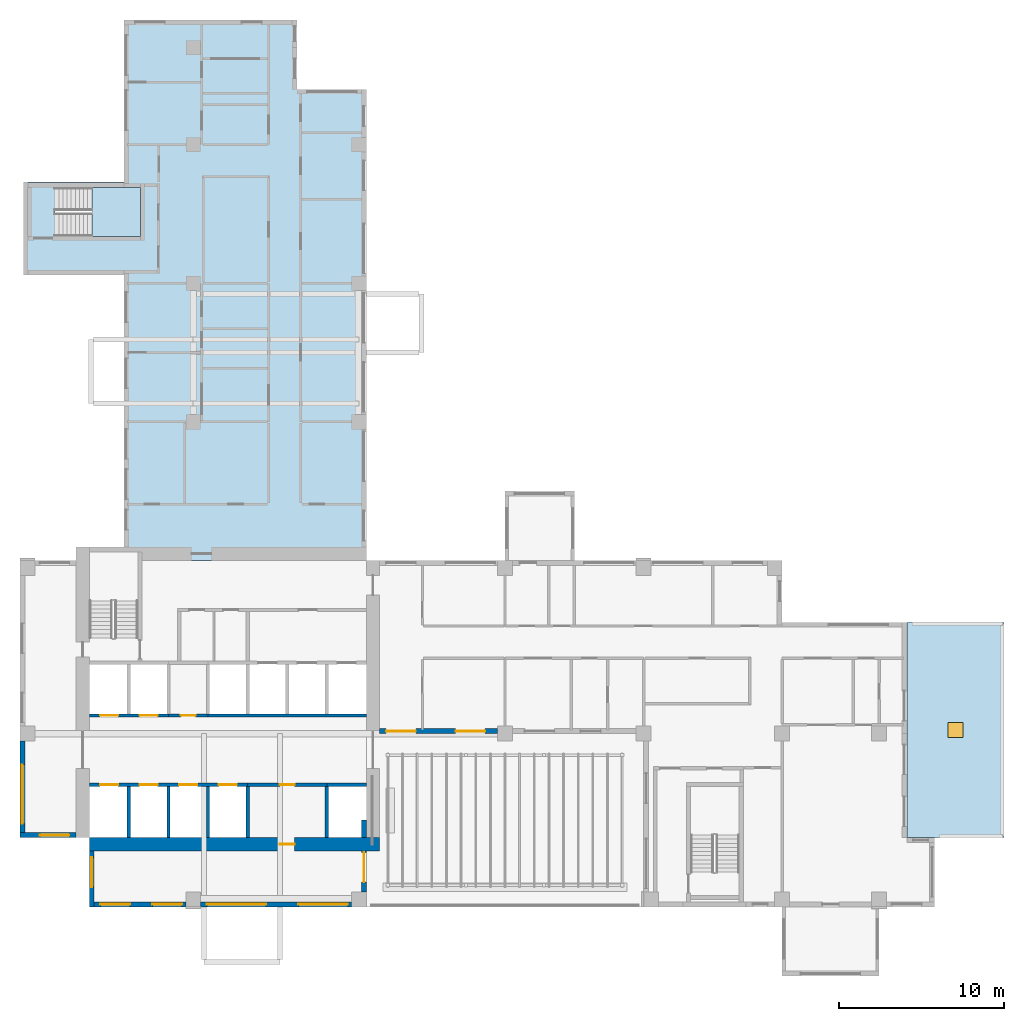
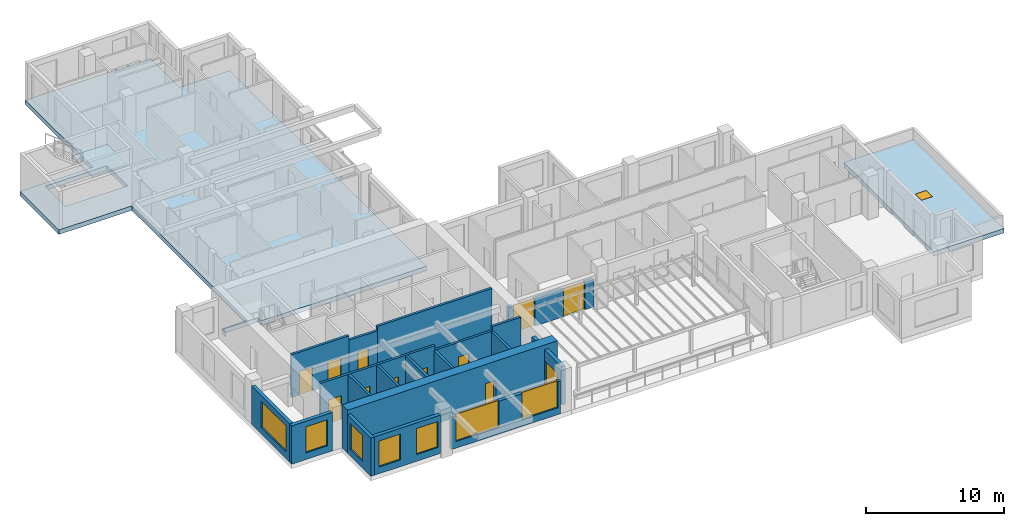
# One storey, part 3 of 13: 20 walls, 12 doors, 8 windows, 3 slabs, 20 openings, 1 element without a shape of its own.
"""IFC4 building model written with IfcOpenShell, lengths in metres."""

from ifc_helpers import new_model, si_unit, direction, frame, frame_2d, origin, origin_2d, place, context, subcontext, project, spatial, polyline, rectangle, outline, extrude, source, transform, mapped, material, layer, layer_set, type_object, element, fill, aggregate, save


model = new_model("IFC4")

# Units and contexts
model_context = context("Model", 3, precision=1e-05, world=origin(), true_north=direction((0.0, 1.0)))
body_context = subcontext(model_context, "Body", "Model", "MODEL_VIEW")
ifc_project = project(units=[si_unit("LENGTHUNIT", "METRE"), si_unit("AREAUNIT", "SQUARE_METRE"), si_unit("VOLUMEUNIT", "CUBIC_METRE"), si_unit("PLANEANGLEUNIT", "RADIAN"), si_unit("MASSUNIT", "GRAM", prefix="KILO")], contexts=[model_context])

# Site, building, storey
site_placement = place(None, origin())
site = spatial("IfcSite", under=ifc_project, at=site_placement, CompositionType="ELEMENT")
building_placement = place(site_placement, origin())
building = spatial("IfcBuilding", under=site, at=building_placement, Name="Aurelian Terraces", CompositionType="ELEMENT")
storey_placement = place(building_placement, frame((0.0, 0.0, 204.4)))
storey = spatial("IfcBuildingStorey", under=building, at=storey_placement, Name="L45", CompositionType="ELEMENT", Elevation=204.4)

# Slab, opening, window
ifc_material_1 = material(Name="Concrete fc' 40 MPa", Category="concrete")
ifc_layer_1 = layer(ifc_material_1, 0.4)
ifc_layer_set_1 = layer_set([ifc_layer_1], Name="Roof slab 400")
slab_type_1 = type_object("IfcSlabType", Name="Roof slab 400", PredefinedType="ROOF", material=ifc_layer_set_1)
slab_1_placement = place(storey_placement, frame((0.0, 0.0, -0.4)))
slab_1 = element("IfcSlab", 1, at=slab_1_placement, inside=storey, type_object=slab_type_1, Name="Roof slab L45 L45-X1", PredefinedType="ROOF", context=body_context, shape_type="SweptSolid", body=[
    extrude(outline(polyline([(53.76, 4.2), (53.76, 17.25), (55.44, 17.25), (59.64, 17.25), (59.64, 16.8), (59.64, 16.65), (59.64, 4.2), (55.44, 4.2), (53.76, 4.2)])), origin(), (0.0, 0.0, 1.0), 0.4),
])
shared_shape_1 = source(origin(), body_context, "Body", "SweptSolid", [
    extrude(rectangle(XDim=0.9, YDim=0.9, at=origin_2d()), frame((0.0, 0.0, -0.01)), (0.0, 0.0, 1.0), 0.42),
])
opening_1_placement = place(slab_1_placement, frame((56.7, 10.725, 0.0)))
opening_1 = element("IfcOpeningElement", 2, at=opening_1_placement, cuts=slab_1, Name="Opening RH1", PredefinedType="OPENING", context=body_context, shape_type="MappedRepresentation", body=[
    mapped(shared_shape_1, transform((0.0, 0.0, 0.0), scale=1.0)),
])
ifc_material_2 = material(Name="Clear glazing", Category="glass")
window_type_1 = type_object("IfcWindowType", Name="ROOF HATCH", PartitioningType="SINGLE_PANEL", PredefinedType="SKYLIGHT", material=ifc_material_2)
shared_shape_2 = source(origin(), body_context, "Body", "SweptSolid", [
    extrude(rectangle(XDim=0.9, YDim=0.9, at=origin_2d()), origin(), (0.0, 0.0, 1.0), 0.05),
])
window_1_placement = place(opening_1_placement, frame((0.0, 0.0, 0.35)))
window_1 = element("IfcWindow", 3, at=window_1_placement, inside=storey, type_object=window_type_1, Name="Roof access hatch L45", OverallHeight=0.9, OverallWidth=0.9, PartitioningType="SINGLE_PANEL", PredefinedType="SKYLIGHT", context=body_context, shape_type="MappedRepresentation", body=[
    mapped(shared_shape_2, transform((0.0, 0.0, 0.0), scale=1.0)),
])
fill(opening_1, window_1)

# Slab
ifc_layer_2 = layer(ifc_material_1, 0.4)
ifc_layer_set_2 = layer_set([ifc_layer_2], Name="PT FLAT PLATE 400")
slab_type_2 = type_object("IfcSlabType", Name="PT FLAT PLATE 400", PredefinedType="FLOOR", material=ifc_layer_set_2)
shared_shape_3 = source(origin(), body_context, "Body", "SweptSolid", [
    extrude(outline(polyline([(6.3, 43.95), (6.3, 49.56), (6.3, 53.76), (10.5, 53.76), (16.8, 53.76), (16.8, 49.56), (21.0, 49.56), (21.0, 21.0), (7.14, 21.0), (7.14, 21.49), (4.21, 21.49), (4.21, 21.0), (4.2, 21.0), (4.2, 21.6), (6.3, 21.6), (6.3, 38.3), (0.2, 38.3), (0.2, 43.95), (6.3, 43.95)]), holes=[polyline([(7.29, 43.59), (2.11, 43.59), (2.11, 40.66), (7.29, 40.66), (7.29, 43.59)])]), origin(), (0.0, 0.0, 1.0), 0.4),
])
slab_2_placement = place(storey_placement, frame((0.0, 0.0, -0.4)))
element("IfcSlab", 4, at=slab_2_placement, inside=storey, type_object=slab_type_2, Name="Floor slab W L45", PredefinedType="FLOOR", context=body_context, shape_type="MappedRepresentation", body=[
    mapped(shared_shape_3, transform((0.0, 0.0, 0.0), scale=1.0)),
])

# Stair, slab
stair_type = type_object("IfcStairType", Name="Stair 1400", PredefinedType="HALF_TURN_STAIR", material=ifc_material_1)
stair_placement = place(storey_placement, origin())
stair = element("IfcStair", 5, at=stair_placement, inside=storey, type_object=stair_type, Name="L45 S3", PredefinedType="HALF_TURN_STAIR")
ifc_layer_3 = layer(ifc_material_1, 0.2)
ifc_layer_set_3 = layer_set([ifc_layer_3], Name="Stair landing 200")
slab_type_3 = type_object("IfcSlabType", Name="Stair landing 200", PredefinedType="LANDING", material=ifc_layer_set_3)
shared_shape_4 = source(origin(), body_context, "Body", "SweptSolid", [
    extrude(outline(polyline([(4.35, 40.65), (7.3, 40.65), (7.3, 43.6), (4.35, 43.6), (4.35, 40.65)])), origin(), (0.0, 0.0, 1.0), 0.2),
])
slab_3_placement = place(storey_placement, frame((0.0, 0.0, 1.7)))
slab_3 = element("IfcSlab", 6, at=slab_3_placement, type_object=slab_type_3, Name="S3 landing 1", PredefinedType="LANDING", context=body_context, shape_type="MappedRepresentation", body=[
    mapped(shared_shape_4, transform((0.0, 0.0, 0.0), scale=1.0)),
])
aggregate(stair, [slab_3])

# Wall, openings, windows
ifc_material_3 = material(Name="Terracotta rainscreen cladding", Category="masonry")
ifc_layer_4 = layer(ifc_material_3, 0.3)
ifc_layer_set_4 = layer_set([ifc_layer_4], Name="EW-300")
wall_type_1 = type_object("IfcWallType", Name="EW-300", PredefinedType="STANDARD", material=ifc_layer_set_4)
wall_1_placement = place(storey_placement, frame((10.95, 0.15, 0.0), z_axis=(0.0, 0.0, 1.0), x_axis=(1.0, 0.0, 0.0)))
wall_1 = element("IfcWall", 7, at=wall_1_placement, inside=storey, type_object=wall_type_1, Name="External wall L45 F01.2", PredefinedType="STANDARD", context=body_context, shape_type="SweptSolid", body=[
    extrude(rectangle(XDim=9.15, YDim=0.3, at=frame_2d((4.575, 0.0))), origin(), (0.0, 0.0, 1.0), 2.9),
])
shared_shape_5 = source(origin(), body_context, "Body", "SweptSolid", [
    extrude(rectangle(XDim=3.6, YDim=2.3, at=frame_2d((1.8, 1.15))), frame((0.0, 0.16, 0.0), z_axis=(0.0, -1.0, 0.0), x_axis=(1.0, 0.0, 0.0)), (0.0, 0.0, 1.0), 0.32),
])
opening_2_placement = place(wall_1_placement, frame((0.375, 0.0, 0.6)))
opening_2 = element("IfcOpeningElement", 8, at=opening_2_placement, cuts=wall_1, Name="Opening W3623", PredefinedType="OPENING", context=body_context, shape_type="MappedRepresentation", body=[
    mapped(shared_shape_5, transform((0.0, 0.0, 0.0), scale=1.0)),
])
shared_shape_6 = source(origin(), body_context, "Body", "SweptSolid", [
    extrude(rectangle(XDim=3.0, YDim=2.3, at=frame_2d((1.5, 1.15))), frame((0.0, 0.16, 0.0), z_axis=(0.0, -1.0, 0.0), x_axis=(1.0, 0.0, 0.0)), (0.0, 0.0, 1.0), 0.32),
])
opening_3_placement = place(wall_1_placement, frame((5.925, 0.0, 0.6)))
opening_3 = element("IfcOpeningElement", 9, at=opening_3_placement, cuts=wall_1, Name="Opening W3023", PredefinedType="OPENING", context=body_context, shape_type="MappedRepresentation", body=[
    mapped(shared_shape_6, transform((0.0, 0.0, 0.0), scale=1.0)),
])
window_type_2 = type_object("IfcWindowType", Name="W-3600x2300", PartitioningType="SINGLE_PANEL", PredefinedType="WINDOW", material=ifc_material_2)
shared_shape_7 = source(origin(), body_context, "Body", "SweptSolid", [
    extrude(rectangle(XDim=3.6, YDim=2.3, at=frame_2d((1.8, 1.15))), frame((0.0, 0.03, 0.0), z_axis=(0.0, -1.0, 0.0), x_axis=(1.0, 0.0, 0.0)), (0.0, 0.0, 1.0), 0.06),
])
window_2_placement = place(opening_2_placement, origin())
window_2 = element("IfcWindow", 10, at=window_2_placement, inside=storey, type_object=window_type_2, Name="Window L45 L45-F01-02-0", OverallHeight=2.3, OverallWidth=3.6, PartitioningType="SINGLE_PANEL", PredefinedType="WINDOW", context=body_context, shape_type="MappedRepresentation", body=[
    mapped(shared_shape_7, transform((0.0, 0.0, 0.0), scale=1.0)),
])
fill(opening_2, window_2)
window_type_3 = type_object("IfcWindowType", Name="W-3000x2300", PartitioningType="SINGLE_PANEL", PredefinedType="WINDOW", material=ifc_material_2)
shared_shape_8 = source(origin(), body_context, "Body", "SweptSolid", [
    extrude(rectangle(XDim=3.0, YDim=2.3, at=frame_2d((1.5, 1.15))), frame((0.0, 0.03, 0.0), z_axis=(0.0, -1.0, 0.0), x_axis=(1.0, 0.0, 0.0)), (0.0, 0.0, 1.0), 0.06),
])
window_3_placement = place(opening_3_placement, origin())
window_3 = element("IfcWindow", 11, at=window_3_placement, inside=storey, type_object=window_type_3, Name="Window L45 L45-F01-02-1", OverallHeight=2.3, OverallWidth=3.0, PartitioningType="SINGLE_PANEL", PredefinedType="WINDOW", context=body_context, shape_type="MappedRepresentation", body=[
    mapped(shared_shape_8, transform((0.0, 0.0, 0.0), scale=1.0)),
])
fill(opening_3, window_3)

# Wall
wall_2_placement = place(storey_placement, frame((20.85, 4.2, 0.0), z_axis=(0.0, 0.0, 1.0), x_axis=(0.0, 1.0, 0.0)))
element("IfcWall", 12, at=wall_2_placement, inside=storey, type_object=wall_type_1, Name="External wall L45 F02.3", PredefinedType="STANDARD", context=body_context, shape_type="SweptSolid", body=[
    extrude(rectangle(XDim=1.05, YDim=0.3, at=frame_2d((0.525, 0.0))), origin(), (0.0, 0.0, 1.0), 3.4),
])

# Wall, openings, doors
wall_3_placement = place(storey_placement, frame((21.8, 10.65, 0.0), z_axis=(0.0, 0.0, 1.0), x_axis=(1.0, 0.0, 0.0)))
wall_3 = element("IfcWall", 13, at=wall_3_placement, inside=storey, type_object=wall_type_1, Name="External wall L45 F03.5", PredefinedType="STANDARD", context=body_context, shape_type="SweptSolid", body=[
    extrude(rectangle(XDim=7.15, YDim=0.3, at=frame_2d((3.575, 0.0))), origin(), (0.0, 0.0, 1.0), 2.4),
])
shared_shape_9 = source(origin(), body_context, "Body", "SweptSolid", [
    extrude(rectangle(XDim=1.8, YDim=2.4, at=frame_2d((0.9, 1.2))), frame((0.0, 0.16, 0.0), z_axis=(0.0, -1.0, 0.0), x_axis=(1.0, 0.0, 0.0)), (0.0, 0.0, 1.0), 0.32),
])
opening_4_placement = place(wall_3_placement, frame((0.4, 0.0, 0.0)))
opening_4 = element("IfcOpeningElement", 14, at=opening_4_placement, cuts=wall_3, Name="Opening 84502", PredefinedType="OPENING", context=body_context, shape_type="MappedRepresentation", body=[
    mapped(shared_shape_9, transform((0.0, 0.0, 0.0), scale=1.0)),
])
opening_5_placement = place(wall_3_placement, frame((4.6, 0.0, 0.0)))
opening_5 = element("IfcOpeningElement", 15, at=opening_5_placement, cuts=wall_3, Name="Opening 84503", PredefinedType="OPENING", context=body_context, shape_type="MappedRepresentation", body=[
    mapped(shared_shape_9, transform((0.0, 0.0, 0.0), scale=1.0)),
])
door_type_1 = type_object("IfcDoorType", Name="BD-1800x2400", OperationType="SLIDING_TO_LEFT", PredefinedType="DOOR", material=ifc_material_2)
shared_shape_10 = source(origin(), body_context, "Body", "SweptSolid", [
    extrude(rectangle(XDim=1.8, YDim=2.4, at=frame_2d((0.9, 1.2))), frame((0.0, 0.025, 0.0), z_axis=(0.0, -1.0, 0.0), x_axis=(1.0, 0.0, 0.0)), (0.0, 0.0, 1.0), 0.05),
])
door_1_placement = place(opening_4_placement, origin())
door_1 = element("IfcDoor", 16, at=door_1_placement, inside=storey, type_object=door_type_1, Name="Terrace door L45 L45-F03-05.1", OperationType="SLIDING_TO_LEFT", OverallHeight=2.4, OverallWidth=1.8, PredefinedType="DOOR", context=body_context, shape_type="MappedRepresentation", body=[
    mapped(shared_shape_10, transform((0.0, 0.0, 0.0), scale=1.0)),
])
fill(opening_4, door_1)
door_2_placement = place(opening_5_placement, origin())
door_2 = element("IfcDoor", 17, at=door_2_placement, inside=storey, type_object=door_type_1, Name="Terrace door L45 L45-F03-05.2", OperationType="SLIDING_TO_LEFT", OverallHeight=2.4, OverallWidth=1.8, PredefinedType="DOOR", context=body_context, shape_type="MappedRepresentation", body=[
    mapped(shared_shape_10, transform((0.0, 0.0, 0.0), scale=1.0)),
])
fill(opening_5, door_2)

# Wall, opening, door
ifc_material_4 = material(Name="Concrete fc' 70 MPa", Category="concrete")
ifc_layer_5 = layer(ifc_material_4, 0.8)
ifc_layer_set_5 = layer_set([ifc_layer_5], Name="CORE WALL 800 FC70")
wall_type_2 = type_object("IfcWallType", Name="CORE WALL 800 FC70", PredefinedType="SHEAR", material=ifc_layer_set_5)
shared_shape_11 = source(origin(), body_context, "Body", "SweptSolid", [
    extrude(rectangle(XDim=17.6, YDim=0.8, at=frame_2d((8.8, 0.0))), origin(), (0.0, 0.0, 1.0), 3.8),
])
wall_4_placement = place(storey_placement, frame((4.2, 3.8, 0.0), z_axis=(0.0, 0.0, 1.0), x_axis=(1.0, 0.0, 0.0)))
wall_4 = element("IfcWall", 18, at=wall_4_placement, inside=storey, type_object=wall_type_2, Name="Core wall S L45", PredefinedType="SHEAR", context=body_context, shape_type="MappedRepresentation", body=[
    mapped(shared_shape_11, transform((0.0, 0.0, 0.0), scale=1.0)),
])
shared_shape_12 = source(origin(), body_context, "Body", "SweptSolid", [
    extrude(rectangle(XDim=0.9, YDim=2.1, at=frame_2d((0.45, 1.05))), frame((0.0, 0.41, 0.0), z_axis=(0.0, -1.0, 0.0), x_axis=(1.0, 0.0, 0.0)), (0.0, 0.0, 1.0), 0.82),
])
opening_6_placement = place(wall_4_placement, frame((11.55, 0.0, 0.0)))
opening_6 = element("IfcOpeningElement", 19, at=opening_6_placement, cuts=wall_4, Name="Opening 64825", PredefinedType="OPENING", context=body_context, shape_type="MappedRepresentation", body=[
    mapped(shared_shape_12, transform((0.0, 0.0, 0.0), scale=1.0)),
])
ifc_material_5 = material(Name="Steel door leaf", Category="steel")
door_type_2 = type_object("IfcDoorType", Name="Core service door 900x2100", OperationType="SINGLE_SWING_LEFT", PredefinedType="DOOR", material=ifc_material_5)
shared_shape_13 = source(origin(), body_context, "Body", "SweptSolid", [
    extrude(rectangle(XDim=0.9, YDim=2.1, at=frame_2d((0.45, 1.05))), frame((0.0, 0.025, 0.0), z_axis=(0.0, -1.0, 0.0), x_axis=(1.0, 0.0, 0.0)), (0.0, 0.0, 1.0), 0.05),
])
door_3_placement = place(opening_6_placement, origin())
door_3 = element("IfcDoor", 20, at=door_3_placement, inside=storey, type_object=door_type_2, Name="Core door 64825", OperationType="SINGLE_SWING_LEFT", OverallHeight=2.1, OverallWidth=0.9, PredefinedType="DOOR", context=body_context, shape_type="MappedRepresentation", body=[
    mapped(shared_shape_13, transform((0.0, 0.0, 0.0), scale=1.0)),
])
fill(opening_6, door_3)

# Wall, opening, window
shared_shape_14 = source(origin(), body_context, "Body", "SweptSolid", [
    extrude(rectangle(XDim=3.4, YDim=0.3, at=frame_2d((1.7, 0.0))), origin(), (0.0, 0.0, 1.0), 3.4),
])
wall_5_placement = place(storey_placement, frame((0.0, 4.35, 0.0), z_axis=(0.0, 0.0, 1.0), x_axis=(1.0, 0.0, 0.0)))
wall_5 = element("IfcWall", 21, at=wall_5_placement, inside=storey, type_object=wall_type_1, Name="External wall L45 F25.37", PredefinedType="STANDARD", context=body_context, shape_type="MappedRepresentation", body=[
    mapped(shared_shape_14, transform((0.0, 0.0, 0.0), scale=1.0)),
])
shared_shape_15 = source(origin(), body_context, "Body", "SweptSolid", [
    extrude(rectangle(XDim=1.8, YDim=2.3, at=frame_2d((0.9, 1.15))), frame((0.0, 0.16, 0.0), z_axis=(0.0, -1.0, 0.0), x_axis=(1.0, 0.0, 0.0)), (0.0, 0.0, 1.0), 0.32),
])
opening_7_placement = place(wall_5_placement, frame((1.2, 0.0, 0.6)))
opening_7 = element("IfcOpeningElement", 22, at=opening_7_placement, cuts=wall_5, Name="Opening W1823", PredefinedType="OPENING", context=body_context, shape_type="MappedRepresentation", body=[
    mapped(shared_shape_15, transform((0.0, 0.0, 0.0), scale=1.0)),
])
window_type_4 = type_object("IfcWindowType", Name="W-1800x2300", PartitioningType="SINGLE_PANEL", PredefinedType="WINDOW", material=ifc_material_2)
shared_shape_16 = source(origin(), body_context, "Body", "SweptSolid", [
    extrude(rectangle(XDim=1.8, YDim=2.3, at=frame_2d((0.9, 1.15))), frame((0.0, 0.03, 0.0), z_axis=(0.0, -1.0, 0.0), x_axis=(1.0, 0.0, 0.0)), (0.0, 0.0, 1.0), 0.06),
])
window_4_placement = place(opening_7_placement, origin())
window_4 = element("IfcWindow", 23, at=window_4_placement, inside=storey, type_object=window_type_4, Name="Window L45 L45-F25-37-0", OverallHeight=2.3, OverallWidth=1.8, PartitioningType="SINGLE_PANEL", PredefinedType="WINDOW", context=body_context, shape_type="MappedRepresentation", body=[
    mapped(shared_shape_16, transform((0.0, 0.0, 0.0), scale=1.0)),
])
fill(opening_7, window_4)

wall_6_placement = place(storey_placement, frame((4.35, 3.4, 0.0), z_axis=(0.0, 0.0, 1.0), x_axis=(0.0, -1.0, 0.0)))
wall_6 = element("IfcWall", 24, at=wall_6_placement, inside=storey, type_object=wall_type_1, Name="External wall L45 F26.38", PredefinedType="STANDARD", context=body_context, shape_type="MappedRepresentation", body=[
    mapped(shared_shape_14, transform((0.0, 0.0, 0.0), scale=1.0)),
])
opening_8_placement = place(wall_6_placement, frame((0.4, 0.0, 0.6)))
opening_8 = element("IfcOpeningElement", 25, at=opening_8_placement, cuts=wall_6, Name="Opening W1823", PredefinedType="OPENING", context=body_context, shape_type="MappedRepresentation", body=[
    mapped(shared_shape_15, transform((0.0, 0.0, 0.0), scale=1.0)),
])
window_5_placement = place(opening_8_placement, origin())
window_5 = element("IfcWindow", 26, at=window_5_placement, inside=storey, type_object=window_type_4, Name="Window L45 L45-F26-38-0", OverallHeight=2.3, OverallWidth=1.8, PartitioningType="SINGLE_PANEL", PredefinedType="WINDOW", context=body_context, shape_type="MappedRepresentation", body=[
    mapped(shared_shape_16, transform((0.0, 0.0, 0.0), scale=1.0)),
])
fill(opening_8, window_5)

# Wall, opening, door
shared_shape_17 = source(origin(), body_context, "Body", "SweptSolid", [
    extrude(rectangle(XDim=2.5, YDim=0.3, at=frame_2d((1.25, 0.0))), origin(), (0.0, 0.0, 1.0), 3.4),
])
wall_7_placement = place(storey_placement, frame((20.85, 0.9, 0.0), z_axis=(0.0, 0.0, 1.0), x_axis=(0.0, 1.0, 0.0)))
wall_7 = element("IfcWall", 27, at=wall_7_placement, inside=storey, type_object=wall_type_1, Name="External wall L45 F02.3", PredefinedType="STANDARD", context=body_context, shape_type="MappedRepresentation", body=[
    mapped(shared_shape_17, transform((0.0, 0.0, 0.0), scale=1.0)),
])
opening_9_placement = place(wall_7_placement, frame((0.6, 0.0, 0.0)))
opening_9 = element("IfcOpeningElement", 28, at=opening_9_placement, cuts=wall_7, Name="Opening 84501", PredefinedType="OPENING", context=body_context, shape_type="MappedRepresentation", body=[
    mapped(shared_shape_9, transform((0.0, 0.0, 0.0), scale=1.0)),
])
door_4_placement = place(opening_9_placement, origin())
door_4 = element("IfcDoor", 29, at=door_4_placement, inside=storey, type_object=door_type_1, Name="Terrace door L45 L45-F02-03.1", OperationType="SLIDING_TO_LEFT", OverallHeight=2.4, OverallWidth=1.8, PredefinedType="DOOR", context=body_context, shape_type="MappedRepresentation", body=[
    mapped(shared_shape_10, transform((0.0, 0.0, 0.0), scale=1.0)),
])
fill(opening_9, door_4)

# Wall, openings, windows
shared_shape_18 = source(origin(), body_context, "Body", "SweptSolid", [
    extrude(rectangle(XDim=5.85, YDim=0.3, at=frame_2d((2.925, 0.0))), origin(), (0.0, 0.0, 1.0), 3.4),
])
wall_8_placement = place(storey_placement, frame((4.2, 0.15, 0.0), z_axis=(0.0, 0.0, 1.0), x_axis=(1.0, 0.0, 0.0)))
wall_8 = element("IfcWall", 30, at=wall_8_placement, inside=storey, type_object=wall_type_1, Name="External wall L45 F01.1", PredefinedType="STANDARD", context=body_context, shape_type="MappedRepresentation", body=[
    mapped(shared_shape_18, transform((0.0, 0.0, 0.0), scale=1.0)),
])
opening_10_placement = place(wall_8_placement, frame((0.675, 0.0, 0.6)))
opening_10 = element("IfcOpeningElement", 31, at=opening_10_placement, cuts=wall_8, Name="Opening W1823", PredefinedType="OPENING", context=body_context, shape_type="MappedRepresentation", body=[
    mapped(shared_shape_15, transform((0.0, 0.0, 0.0), scale=1.0)),
])
opening_11_placement = place(wall_8_placement, frame((3.825, 0.0, 0.6)))
opening_11 = element("IfcOpeningElement", 32, at=opening_11_placement, cuts=wall_8, Name="Opening W1823", PredefinedType="OPENING", context=body_context, shape_type="MappedRepresentation", body=[
    mapped(shared_shape_15, transform((0.0, 0.0, 0.0), scale=1.0)),
])
window_6_placement = place(opening_10_placement, origin())
window_6 = element("IfcWindow", 33, at=window_6_placement, inside=storey, type_object=window_type_4, Name="Window L45 L45-F01-01-0", OverallHeight=2.3, OverallWidth=1.8, PartitioningType="SINGLE_PANEL", PredefinedType="WINDOW", context=body_context, shape_type="MappedRepresentation", body=[
    mapped(shared_shape_16, transform((0.0, 0.0, 0.0), scale=1.0)),
])
fill(opening_10, window_6)
window_7_placement = place(opening_11_placement, origin())
window_7 = element("IfcWindow", 34, at=window_7_placement, inside=storey, type_object=window_type_4, Name="Window L45 L45-F01-01-1", OverallHeight=2.3, OverallWidth=1.8, PartitioningType="SINGLE_PANEL", PredefinedType="WINDOW", context=body_context, shape_type="MappedRepresentation", body=[
    mapped(shared_shape_16, transform((0.0, 0.0, 0.0), scale=1.0)),
])
fill(opening_11, window_7)

# Wall, opening, window
wall_9_placement = place(storey_placement, frame((0.15, 10.05, 0.0), z_axis=(0.0, 0.0, 1.0), x_axis=(0.0, -1.0, 0.0)))
wall_9 = element("IfcWall", 35, at=wall_9_placement, inside=storey, type_object=wall_type_1, Name="External wall L45 F24.36", PredefinedType="STANDARD", context=body_context, shape_type="MappedRepresentation", body=[
    mapped(shared_shape_18, transform((0.0, 0.0, 0.0), scale=1.0)),
])
opening_12_placement = place(wall_9_placement, frame((1.425, 0.0, 0.6)))
opening_12 = element("IfcOpeningElement", 36, at=opening_12_placement, cuts=wall_9, Name="Opening W3623", PredefinedType="OPENING", context=body_context, shape_type="MappedRepresentation", body=[
    mapped(shared_shape_5, transform((0.0, 0.0, 0.0), scale=1.0)),
])
window_8_placement = place(opening_12_placement, origin())
window_8 = element("IfcWindow", 37, at=window_8_placement, inside=storey, type_object=window_type_2, Name="Window L45 L45-F24-36-3", OverallHeight=2.3, OverallWidth=3.6, PartitioningType="SINGLE_PANEL", PredefinedType="WINDOW", context=body_context, shape_type="MappedRepresentation", body=[
    mapped(shared_shape_7, transform((0.0, 0.0, 0.0), scale=1.0)),
])
fill(opening_12, window_8)

# Walls
ifc_layer_6 = layer(ifc_material_1, 0.2)
ifc_layer_set_6 = layer_set([ifc_layer_6], Name="Lift shaft wall 200")
wall_type_3 = type_object("IfcWallType", Name="Lift shaft wall 200", PredefinedType="SOLIDWALL", material=ifc_layer_set_6)
shared_shape_19 = source(origin(), body_context, "Body", "SweptSolid", [
    extrude(rectangle(XDim=3.1, YDim=0.2, at=frame_2d((1.55, 0.0))), origin(), (0.0, 0.0, 1.0), 3.8),
])
for number, where, z_axis, x_axis, name in (
    (38, (6.6, 4.2, 0.0), (0.0, 0.0, 1.0), (0.0, 1.0, 0.0), "L45 core wall CD-A1"),
    (39, (9.0, 4.2, 0.0), (0.0, 0.0, 1.0), (0.0, 1.0, 0.0), "L45 core wall CD-A2"),
    (40, (11.4, 4.2, 0.0), (0.0, 0.0, 1.0), (0.0, 1.0, 0.0), "L45 core wall CD-A3"),
):
    element("IfcWall", number, at=place(storey_placement, frame(where, z_axis=z_axis, x_axis=x_axis)), inside=storey, type_object=wall_type_3, Name=name, PredefinedType="SOLIDWALL", context=body_context, shape_type="MappedRepresentation", body=[
        mapped(shared_shape_19, transform((0.0, 0.0, 0.0), scale=1.0)),
    ])
shared_shape_20 = source(origin(), body_context, "Body", "SweptSolid", [
    extrude(rectangle(XDim=3.1, YDim=0.2, at=frame_2d((1.55, 0.0))), origin(), (0.0, 0.0, 1.0), 3.4),
])
for number, where, z_axis, x_axis, name in (
    (41, (13.8, 4.2, 0.0), (0.0, 0.0, 1.0), (0.0, 1.0, 0.0), "L45 core wall CD-A4"),
    (42, (18.6, 4.2, 0.0), (0.0, 0.0, 1.0), (0.0, 1.0, 0.0), "L45 core wall CD-A6"),
):
    element("IfcWall", number, at=place(storey_placement, frame(where, z_axis=z_axis, x_axis=x_axis)), inside=storey, type_object=wall_type_3, Name=name, PredefinedType="SOLIDWALL", context=body_context, shape_type="MappedRepresentation", body=[
        mapped(shared_shape_20, transform((0.0, 0.0, 0.0), scale=1.0)),
    ])

# Wall, openings, doors
shared_shape_21 = source(origin(), body_context, "Body", "SweptSolid", [
    extrude(rectangle(XDim=9.6, YDim=0.2, at=frame_2d((4.8, 0.0))), origin(), (0.0, 0.0, 1.0), 3.8),
])
wall_10_placement = place(storey_placement, frame((4.2, 7.4, 0.0), z_axis=(0.0, 0.0, 1.0), x_axis=(1.0, 0.0, 0.0)))
wall_10 = element("IfcWall", 43, at=wall_10_placement, inside=storey, type_object=wall_type_3, Name="L45 core wall CF-AF1", PredefinedType="SOLIDWALL", context=body_context, shape_type="MappedRepresentation", body=[
    mapped(shared_shape_21, transform((0.0, 0.0, 0.0), scale=1.0)),
])
shared_shape_22 = source(origin(), body_context, "Body", "SweptSolid", [
    extrude(rectangle(XDim=1.1, YDim=2.1, at=frame_2d((0.55, 1.05))), frame((0.0, 0.11, 0.0), z_axis=(0.0, -1.0, 0.0), x_axis=(1.0, 0.0, 0.0)), (0.0, 0.0, 1.0), 0.22),
])
opening_13_placement = place(wall_10_placement, frame((0.65, 0.0, 0.0)))
opening_13 = element("IfcOpeningElement", 44, at=opening_13_placement, cuts=wall_10, Name="Opening 64800", PredefinedType="OPENING", context=body_context, shape_type="MappedRepresentation", body=[
    mapped(shared_shape_22, transform((0.0, 0.0, 0.0), scale=1.0)),
])
opening_14_placement = place(wall_10_placement, frame((3.05, 0.0, 0.0)))
opening_14 = element("IfcOpeningElement", 45, at=opening_14_placement, cuts=wall_10, Name="Opening 64801", PredefinedType="OPENING", context=body_context, shape_type="MappedRepresentation", body=[
    mapped(shared_shape_22, transform((0.0, 0.0, 0.0), scale=1.0)),
])
opening_15_placement = place(wall_10_placement, frame((5.45, 0.0, 0.0)))
opening_15 = element("IfcOpeningElement", 46, at=opening_15_placement, cuts=wall_10, Name="Opening 64802", PredefinedType="OPENING", context=body_context, shape_type="MappedRepresentation", body=[
    mapped(shared_shape_22, transform((0.0, 0.0, 0.0), scale=1.0)),
])
opening_16_placement = place(wall_10_placement, frame((7.85, 0.0, 0.0)))
opening_16 = element("IfcOpeningElement", 47, at=opening_16_placement, cuts=wall_10, Name="Opening 64803", PredefinedType="OPENING", context=body_context, shape_type="MappedRepresentation", body=[
    mapped(shared_shape_22, transform((0.0, 0.0, 0.0), scale=1.0)),
])
ifc_material_6 = material(Name="Stainless steel", Category="steel")
door_type_3 = type_object("IfcDoorType", Name="Lift landing door 1100x2100", OperationType="SLIDING_TO_LEFT", PredefinedType="DOOR", material=ifc_material_6)
shared_shape_23 = source(origin(), body_context, "Body", "SweptSolid", [
    extrude(rectangle(XDim=1.1, YDim=2.1, at=frame_2d((0.55, 1.05))), frame((0.0, 0.025, 0.0), z_axis=(0.0, -1.0, 0.0), x_axis=(1.0, 0.0, 0.0)), (0.0, 0.0, 1.0), 0.05),
])
door_5_placement = place(opening_13_placement, origin())
door_5 = element("IfcDoor", 48, at=door_5_placement, inside=storey, type_object=door_type_3, Name="Lift landing door LM1 L45", OperationType="SLIDING_TO_LEFT", OverallHeight=2.1, OverallWidth=1.1, PredefinedType="DOOR", context=body_context, shape_type="MappedRepresentation", body=[
    mapped(shared_shape_23, transform((0.0, 0.0, 0.0), scale=1.0)),
])
fill(opening_13, door_5)
door_6_placement = place(opening_14_placement, origin())
door_6 = element("IfcDoor", 49, at=door_6_placement, inside=storey, type_object=door_type_3, Name="Lift landing door LM2 L45", OperationType="SLIDING_TO_LEFT", OverallHeight=2.1, OverallWidth=1.1, PredefinedType="DOOR", context=body_context, shape_type="MappedRepresentation", body=[
    mapped(shared_shape_23, transform((0.0, 0.0, 0.0), scale=1.0)),
])
fill(opening_14, door_6)
door_7_placement = place(opening_15_placement, origin())
door_7 = element("IfcDoor", 50, at=door_7_placement, inside=storey, type_object=door_type_3, Name="Lift landing door LM3 L45", OperationType="SLIDING_TO_LEFT", OverallHeight=2.1, OverallWidth=1.1, PredefinedType="DOOR", context=body_context, shape_type="MappedRepresentation", body=[
    mapped(shared_shape_23, transform((0.0, 0.0, 0.0), scale=1.0)),
])
fill(opening_15, door_7)
door_8_placement = place(opening_16_placement, origin())
door_8 = element("IfcDoor", 51, at=door_8_placement, inside=storey, type_object=door_type_3, Name="Lift landing door LM4 L45", OperationType="SLIDING_TO_LEFT", OverallHeight=2.1, OverallWidth=1.1, PredefinedType="DOOR", context=body_context, shape_type="MappedRepresentation", body=[
    mapped(shared_shape_23, transform((0.0, 0.0, 0.0), scale=1.0)),
])
fill(opening_16, door_8)

# Wall
wall_11_placement = place(storey_placement, frame((11.4, 11.6, 0.0), z_axis=(0.0, 0.0, 1.0), x_axis=(1.0, 0.0, 0.0)))
element("IfcWall", 52, at=wall_11_placement, inside=storey, type_object=wall_type_3, Name="L45 core wall CF-BF3", PredefinedType="SOLIDWALL", context=body_context, shape_type="MappedRepresentation", body=[
    mapped(shared_shape_21, transform((0.0, 0.0, 0.0), scale=1.0)),
])

# Wall, openings, doors
shared_shape_24 = source(origin(), body_context, "Body", "SweptSolid", [
    extrude(rectangle(XDim=4.8, YDim=0.2, at=frame_2d((2.4, 0.0))), origin(), (0.0, 0.0, 1.0), 3.8),
])
wall_12_placement = place(storey_placement, frame((4.2, 11.6, 0.0), z_axis=(0.0, 0.0, 1.0), x_axis=(1.0, 0.0, 0.0)))
wall_12 = element("IfcWall", 53, at=wall_12_placement, inside=storey, type_object=wall_type_3, Name="L45 core wall CF-BF1", PredefinedType="SOLIDWALL", context=body_context, shape_type="MappedRepresentation", body=[
    mapped(shared_shape_24, transform((0.0, 0.0, 0.0), scale=1.0)),
])
opening_17_placement = place(wall_12_placement, frame((0.65, 0.0, 0.0)))
opening_17 = element("IfcOpeningElement", 54, at=opening_17_placement, cuts=wall_12, Name="Opening 64805", PredefinedType="OPENING", context=body_context, shape_type="MappedRepresentation", body=[
    mapped(shared_shape_22, transform((0.0, 0.0, 0.0), scale=1.0)),
])
opening_18_placement = place(wall_12_placement, frame((3.05, 0.0, 0.0)))
opening_18 = element("IfcOpeningElement", 55, at=opening_18_placement, cuts=wall_12, Name="Opening 64806", PredefinedType="OPENING", context=body_context, shape_type="MappedRepresentation", body=[
    mapped(shared_shape_22, transform((0.0, 0.0, 0.0), scale=1.0)),
])
door_9_placement = place(opening_17_placement, origin())
door_9 = element("IfcDoor", 56, at=door_9_placement, inside=storey, type_object=door_type_3, Name="Lift landing door LM5 L45", OperationType="SLIDING_TO_LEFT", OverallHeight=2.1, OverallWidth=1.1, PredefinedType="DOOR", context=body_context, shape_type="MappedRepresentation", body=[
    mapped(shared_shape_23, transform((0.0, 0.0, 0.0), scale=1.0)),
])
fill(opening_17, door_9)
door_10_placement = place(opening_18_placement, origin())
door_10 = element("IfcDoor", 57, at=door_10_placement, inside=storey, type_object=door_type_3, Name="Lift landing door LM6 L45", OperationType="SLIDING_TO_LEFT", OverallHeight=2.1, OverallWidth=1.1, PredefinedType="DOOR", context=body_context, shape_type="MappedRepresentation", body=[
    mapped(shared_shape_23, transform((0.0, 0.0, 0.0), scale=1.0)),
])
fill(opening_18, door_10)

# Wall, opening, door
shared_shape_25 = source(origin(), body_context, "Body", "SweptSolid", [
    extrude(rectangle(XDim=2.4, YDim=0.2, at=frame_2d((1.2, 0.0))), origin(), (0.0, 0.0, 1.0), 3.4),
])
wall_13_placement = place(storey_placement, frame((9.0, 11.6, 0.0), z_axis=(0.0, 0.0, 1.0), x_axis=(1.0, 0.0, 0.0)))
wall_13 = element("IfcWall", 58, at=wall_13_placement, inside=storey, type_object=wall_type_3, Name="L45 core wall CF-BF2", PredefinedType="SOLIDWALL", context=body_context, shape_type="MappedRepresentation", body=[
    mapped(shared_shape_25, transform((0.0, 0.0, 0.0), scale=1.0)),
])
shared_shape_26 = source(origin(), body_context, "Body", "SweptSolid", [
    extrude(rectangle(XDim=0.9, YDim=2.1, at=frame_2d((0.45, 1.05))), frame((0.0, 0.11, 0.0), z_axis=(0.0, -1.0, 0.0), x_axis=(1.0, 0.0, 0.0)), (0.0, 0.0, 1.0), 0.22),
])
opening_19_placement = place(wall_13_placement, frame((0.75, 0.0, 0.0)))
opening_19 = element("IfcOpeningElement", 59, at=opening_19_placement, cuts=wall_13, Name="Opening 64807", PredefinedType="OPENING", context=body_context, shape_type="MappedRepresentation", body=[
    mapped(shared_shape_26, transform((0.0, 0.0, 0.0), scale=1.0)),
])
door_type_4 = type_object("IfcDoorType", Name="Core service door 900x2100 right", OperationType="SINGLE_SWING_RIGHT", PredefinedType="DOOR", material=ifc_material_5)
door_11_placement = place(opening_19_placement, origin())
door_11 = element("IfcDoor", 60, at=door_11_placement, inside=storey, type_object=door_type_4, Name="Room door 64807", OperationType="SINGLE_SWING_RIGHT", OverallHeight=2.1, OverallWidth=0.9, PredefinedType="DOOR", context=body_context, shape_type="MappedRepresentation", body=[
    mapped(shared_shape_13, transform((0.0, 0.0, 0.0), scale=1.0)),
])
fill(opening_19, door_11)

shared_shape_27 = source(origin(), body_context, "Body", "SweptSolid", [
    extrude(rectangle(XDim=4.8, YDim=0.2, at=frame_2d((2.4, 0.0))), origin(), (0.0, 0.0, 1.0), 3.4),
])
wall_14_placement = place(storey_placement, frame((13.8, 7.4, 0.0), z_axis=(0.0, 0.0, 1.0), x_axis=(1.0, 0.0, 0.0)))
wall_14 = element("IfcWall", 61, at=wall_14_placement, inside=storey, type_object=wall_type_3, Name="L45 core wall CF-AF2", PredefinedType="SOLIDWALL", context=body_context, shape_type="MappedRepresentation", body=[
    mapped(shared_shape_27, transform((0.0, 0.0, 0.0), scale=1.0)),
])
opening_20_placement = place(wall_14_placement, frame((1.95, 0.0, 0.0)))
opening_20 = element("IfcOpeningElement", 62, at=opening_20_placement, cuts=wall_14, Name="Opening 64804", PredefinedType="OPENING", context=body_context, shape_type="MappedRepresentation", body=[
    mapped(shared_shape_26, transform((0.0, 0.0, 0.0), scale=1.0)),
])
door_12_placement = place(opening_20_placement, origin())
door_12 = element("IfcDoor", 63, at=door_12_placement, inside=storey, type_object=door_type_2, Name="Room door 64804", OperationType="SINGLE_SWING_LEFT", OverallHeight=2.1, OverallWidth=0.9, PredefinedType="DOOR", context=body_context, shape_type="MappedRepresentation", body=[
    mapped(shared_shape_13, transform((0.0, 0.0, 0.0), scale=1.0)),
])
fill(opening_20, door_12)

# Wall
shared_shape_28 = source(origin(), body_context, "Body", "SweptSolid", [
    extrude(rectangle(XDim=2.4, YDim=0.2, at=frame_2d((1.2, 0.0))), origin(), (0.0, 0.0, 1.0), 3.8),
])
wall_15_placement = place(storey_placement, frame((18.6, 7.4, 0.0), z_axis=(0.0, 0.0, 1.0), x_axis=(1.0, 0.0, 0.0)))
element("IfcWall", 64, at=wall_15_placement, inside=storey, type_object=wall_type_3, Name="L45 core wall CF-AF3", PredefinedType="SOLIDWALL", context=body_context, shape_type="MappedRepresentation", body=[
    mapped(shared_shape_28, transform((0.0, 0.0, 0.0), scale=1.0)),
])

save(model, "model.ifc")
